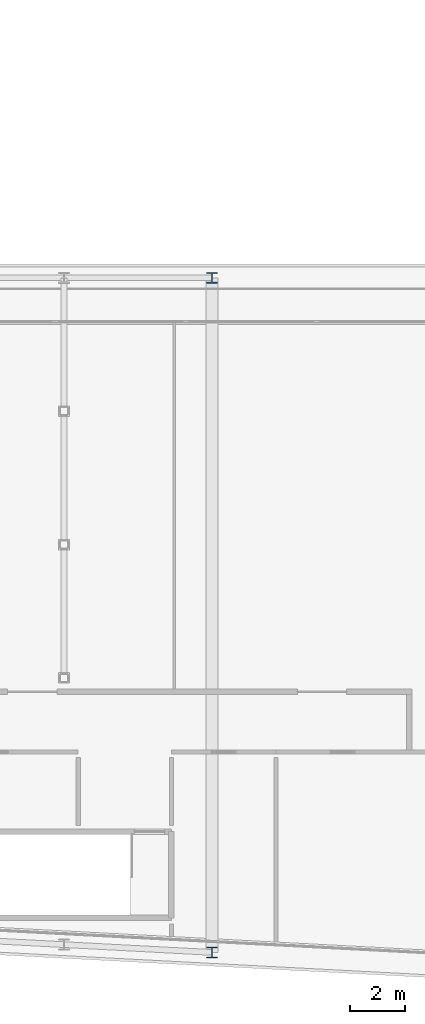
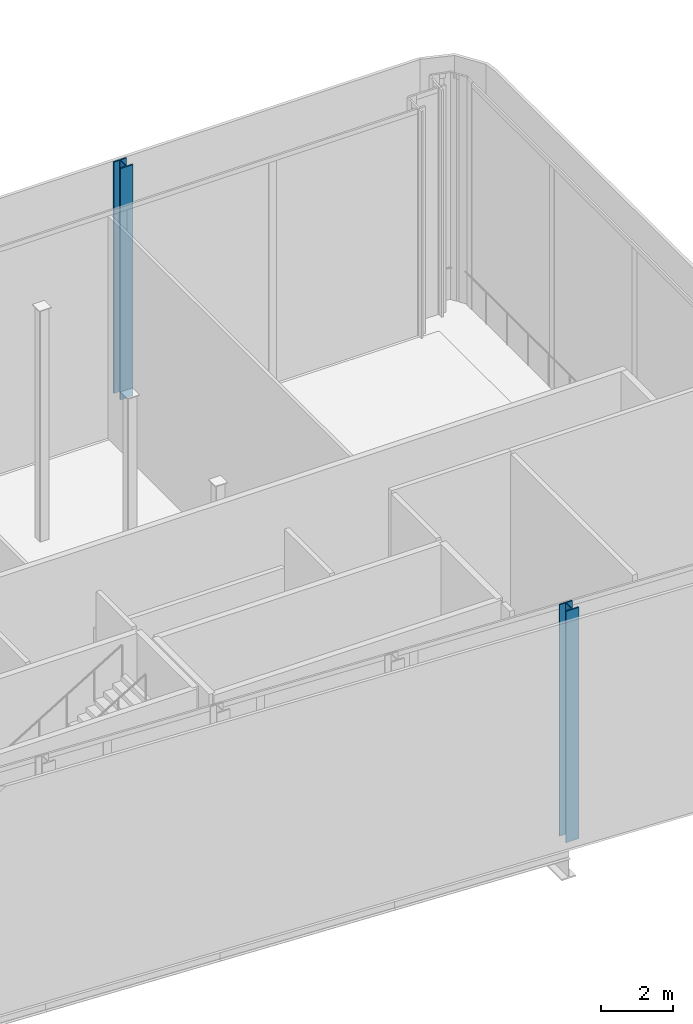
# One storey, part 4 of 38: 2 columns.
"""IFC4 building model written with IfcOpenShell, lengths in metres."""

import ifcopenshell
import ifcopenshell.guid

model = None  # the IFC model being written
_history = None  # IfcOwnerHistory: only IFC2X3 demands one
_inside = {}  # id of a spatial element -> (the spatial element, [elements in it])
_under = {}  # id of a project, library or spatial element -> (it, [spatial elements below it])
_declared = {}  # id of a project -> (the project, [libraries it declares])
_typed = {}  # id of a type object -> (the type object, [elements of that type])
_made_of = {}  # id of a material, layer set ... -> (it, [elements and type objects made of it])


def new_model(schema):
    """Start an empty IFC model of exactly this schema.

    Asked for "IFC4X3", IfcOpenShell would pick the latest addendum, in which some entities
    have other attributes; the version numbers below select the first issue.
    IFC2X3 requires an IfcOwnerHistory on every rooted entity: one is made here for all.
    """
    global model, _history
    if schema == "IFC4X3":
        model = ifcopenshell.file(schema_version=(4, 3, 0, 0))
    else:
        model = ifcopenshell.file(schema=schema)
    _inside.clear()
    _under.clear()
    _declared.clear()
    _typed.clear()
    _made_of.clear()
    _history = None
    if model.schema == "IFC2X3":
        org = make("IfcOrganization", Name="unknown")
        user = make(
            "IfcPersonAndOrganization",
            ThePerson=make("IfcPerson", FamilyName="unknown"),
            TheOrganization=org,
        )
        app = make(
            "IfcApplication",
            ApplicationDeveloper=org,
            Version="unknown",
            ApplicationFullName="unknown",
            ApplicationIdentifier="unknown",
        )
        _history = make(
            "IfcOwnerHistory",
            OwningUser=user,
            OwningApplication=app,
            ChangeAction="ADDED",
            CreationDate=0,
        )
    return model


def make(cls, **values):
    """One entity of the class cls with the attributes given. An attribute that is None is left unset."""
    return model.create_entity(
        cls, **{name: value for name, value in values.items() if value is not None}
    )


def rooted(cls, **values):
    """An entity with a GlobalId (a new one), such as an element, a storey or a relation."""
    return make(cls, GlobalId=ifcopenshell.guid.new(), OwnerHistory=_history, **values)


def si_unit(unit_type, name, prefix=None):
    """IfcSIUnit, for example si_unit("LENGTHUNIT", "METRE", prefix="MILLI")."""
    return make("IfcSIUnit", UnitType=unit_type, Prefix=prefix, Name=name)


def assignment(units):
    """IfcUnitAssignment: the units of a project."""
    return None if units is None else make("IfcUnitAssignment", Units=units)


def point(xyz):
    """IfcCartesianPoint."""
    return None if xyz is None else make("IfcCartesianPoint", Coordinates=xyz)


def direction(xyz):
    """IfcDirection."""
    return None if xyz is None else make("IfcDirection", DirectionRatios=xyz)


def frame(location, z_axis=None, x_axis=None):
    """IfcAxis2Placement3D, a coordinate frame: its origin and axes. An axis left out is left unset."""
    return make(
        "IfcAxis2Placement3D",
        Location=point(location),
        Axis=direction(z_axis),
        RefDirection=direction(x_axis),
    )


def frame_2d(location, x_axis=None):
    """IfcAxis2Placement2D, a coordinate frame in the plane: its origin and x axis."""
    return make(
        "IfcAxis2Placement2D", Location=point(location), RefDirection=direction(x_axis)
    )


def origin():
    """The frame at (0, 0, 0) with its axes left unset."""
    return frame((0.0, 0.0, 0.0))


def origin_2d():
    """The frame at (0, 0) in the plane with its x axis left unset."""
    return frame_2d((0.0, 0.0))


def place(relative_to, where):
    """IfcLocalPlacement: puts the frame where relative to a parent placement (None: the world)."""
    return make(
        "IfcLocalPlacement", PlacementRelTo=relative_to, RelativePlacement=where
    )


def context(
    kind, dimensions, precision=None, world=None, true_north=None, identifier=None
):
    """IfcGeometricRepresentationContext, for example the 3D "Model" context."""
    return make(
        "IfcGeometricRepresentationContext",
        ContextIdentifier=identifier,
        ContextType=kind,
        CoordinateSpaceDimension=dimensions,
        Precision=precision,
        WorldCoordinateSystem=world,
        TrueNorth=true_north,
    )


def subcontext(parent, identifier, kind, view, scale=None):
    """IfcGeometricRepresentationSubContext, for example "Body" below "Model"."""
    return make(
        "IfcGeometricRepresentationSubContext",
        ContextIdentifier=identifier,
        ContextType=kind,
        ParentContext=parent,
        TargetScale=scale,
        TargetView=view,
    )


def project(units=None, contexts=None):
    """IfcProject with its units and contexts."""
    return rooted(
        "IfcProject",
        Name="project",
        RepresentationContexts=contexts,
        UnitsInContext=assignment(units),
    )


def spatial(cls, under=None, at=None, **own):
    """A site, building, storey or space (cls), placed at a placement, below another one or the project."""
    s = rooted(cls, ObjectPlacement=at, **own)
    if under is not None:
        _under.setdefault(under.id(), (under, []))[1].append(s)
    return s


def profile(cls, at=None, kind="AREA", **sizes):
    """A parametric profile (cls). Its sizes go by their IFC names, for example OverallWidth=200.0."""
    return make(cls, ProfileType=kind, Position=at, **sizes)


def i_section(**sizes):
    """IfcIShapeProfileDef."""
    return profile("IfcIShapeProfileDef", **sizes)


def extrude(swept, where, along, depth):
    """IfcExtrudedAreaSolid: the profile swept, set in the frame where, extruded along a direction by depth."""
    return make(
        "IfcExtrudedAreaSolid",
        SweptArea=swept,
        Position=where,
        ExtrudedDirection=direction(along),
        Depth=depth,
    )


def shape(context_of_items, identifier, shape_type, items):
    """IfcShapeRepresentation: the items that make up one representation, for example the "Body"."""
    return make(
        "IfcShapeRepresentation",
        ContextOfItems=context_of_items,
        RepresentationIdentifier=identifier,
        RepresentationType=shape_type,
        Items=items,
    )


def material(Name=None, Category=None):
    """IfcMaterial."""
    return make("IfcMaterial", Name=Name, Category=Category)


def material_profile(
    of_material, cross_section, Name=None, Category=None, Priority=None
):
    """IfcMaterialProfile: a cross section and its material."""
    return make(
        "IfcMaterialProfile",
        Name=Name,
        Material=of_material,
        Profile=cross_section,
        Priority=Priority,
        Category=Category,
    )


def profile_set(profiles, Name=None, composite=None):
    """IfcMaterialProfileSet."""
    return make(
        "IfcMaterialProfileSet",
        Name=Name,
        MaterialProfiles=profiles,
        CompositeProfile=composite,
    )


def made_of(thing, what):
    """Note that an element or type object is made of a material, layer set ...; save() writes the relation."""
    if what is not None:
        _made_of.setdefault(what.id(), (what, []))[1].append(thing)
    return thing


def type_object(cls, material=None, **own):
    """A type object (cls), such as IfcWallType, which elements share."""
    return made_of(rooted(cls, **own), material)


def element(
    cls,
    number,
    at=None,
    inside=None,
    cuts=None,
    type_object=None,
    material=None,
    context=None,
    identifier="Body",
    shape_type=None,
    held_by="IfcProductDefinitionShape",
    body=None,
    shapes=None,
    **own,
):
    """One element of the class cls, such as IfcWall. Its Tag is "e" and its number.

    at: its placement. inside: the storey or other place that contains it. cuts: it is an
    opening in that element (IfcRelVoidsElement). A single representation is given by context,
    identifier, shape_type and body (its items); several are given by shapes. held_by: the class
    of the entity that holds the representations. save() writes the other relations.
    """
    e = rooted(cls, Tag="e%d" % number, ObjectPlacement=at, **own)
    if body is not None:
        shapes = [shape(context, identifier, shape_type, body)]
    if shapes is not None:
        e.Representation = make(held_by, Representations=shapes)
    if inside is not None:
        _inside.setdefault(inside.id(), (inside, []))[1].append(e)
    if cuts is not None:
        rooted(
            "IfcRelVoidsElement", RelatingBuildingElement=cuts, RelatedOpeningElement=e
        )
    if type_object is not None:
        _typed.setdefault(type_object.id(), (type_object, []))[1].append(e)
    return made_of(e, material)


def aggregate(whole, parts):
    """IfcRelAggregates: a whole, such as a stair, and the parts it consists of."""
    return rooted("IfcRelAggregates", RelatingObject=whole, RelatedObjects=parts)


def save(model, path):
    """Write the relations noted so far, then the file.

    IfcRelAggregates (storeys below a building ...), IfcRelContainedInSpatialStructure (elements
    in a storey), IfcRelDefinesByType, IfcRelAssociatesMaterial and IfcRelDeclares: one each for
    every whole, place, type object, material and project.
    """
    for whole, parts in _under.values():
        aggregate(whole, parts)
    for where, things in _inside.values():
        rooted(
            "IfcRelContainedInSpatialStructure",
            RelatedElements=things,
            RelatingStructure=where,
        )
    for kind, things in _typed.values():
        rooted("IfcRelDefinesByType", RelatedObjects=things, RelatingType=kind)
    for what, things in _made_of.values():
        rooted("IfcRelAssociatesMaterial", RelatedObjects=things, RelatingMaterial=what)
    for by, libraries in _declared.values():
        rooted("IfcRelDeclares", RelatingContext=by, RelatedDefinitions=libraries)
    model.write(path)


model = new_model("IFC4")

# Units and contexts
model_context = context("Model", 3, precision=1e-05, world=origin(), true_north=direction((0.0, 1.0)))
body_context = subcontext(model_context, "Body", "Model", "MODEL_VIEW")
ifc_project = project(units=[si_unit("LENGTHUNIT", "METRE"), si_unit("AREAUNIT", "SQUARE_METRE"), si_unit("VOLUMEUNIT", "CUBIC_METRE"), si_unit("PLANEANGLEUNIT", "RADIAN"), si_unit("MASSUNIT", "GRAM", prefix="KILO")], contexts=[model_context])

# Site, building, storey
site_placement = place(None, origin())
site = spatial("IfcSite", under=ifc_project, at=site_placement, CompositionType="ELEMENT")
building_placement = place(site_placement, origin())
building = spatial("IfcBuilding", under=site, at=building_placement, Name="Kheshtan School and Residences Tower", CompositionType="ELEMENT")
storey_placement = place(building_placement, frame((0.0, 0.0, 203.300048828125)))
storey = spatial("IfcBuildingStorey", under=building, at=storey_placement, Name="L48", CompositionType="ELEMENT", Elevation=203.300048828125)

# Columns
ifc_material = material(Name="Steel ASTM A992 Grade 50", Category="steel")
ifc_material_profile = material_profile(ifc_material, i_section(OverallWidth=0.404052734375, OverallDepth=0.406982421875, WebThickness=0.027099609375, FlangeThickness=0.043701171875, FilletRadius=0.01220703125, at=origin_2d()), Name="W360x347")
ifc_profile_set = profile_set([ifc_material_profile], Name="Steel ASTM A992 Grade 50")
column_type = type_object("IfcColumnType", Name="Column C4 W360x347 ASTM A992 Grade 50", PredefinedType="COLUMN", material=ifc_profile_set)
for number, where, z_axis, x_axis, name in (
    (1, (90.800048828125, 20.989990234375, 0.0), (0.0, 0.0, 1.0), (1.0, 0.0, 0.0), "Column C006"),
    (2, (90.800048828125, 45.60009765625, 0.0), (0.0, 0.0, 1.0), (1.0, 0.0, 0.0), "Column C068"),
):
    element("IfcColumn", number, at=place(storey_placement, frame(where, z_axis=z_axis, x_axis=x_axis)), inside=storey, type_object=column_type, Name=name, PredefinedType="COLUMN", context=body_context, shape_type="SweptSolid", body=[
        extrude(i_section(OverallWidth=0.404052734375, OverallDepth=0.406982421875, WebThickness=0.027099609375, FlangeThickness=0.043701171875, FilletRadius=0.01220703125, at=origin_2d()), origin(), (0.0, 0.0, 1.0), 7.800048828125),
    ])

save(model, "model.ifc")
